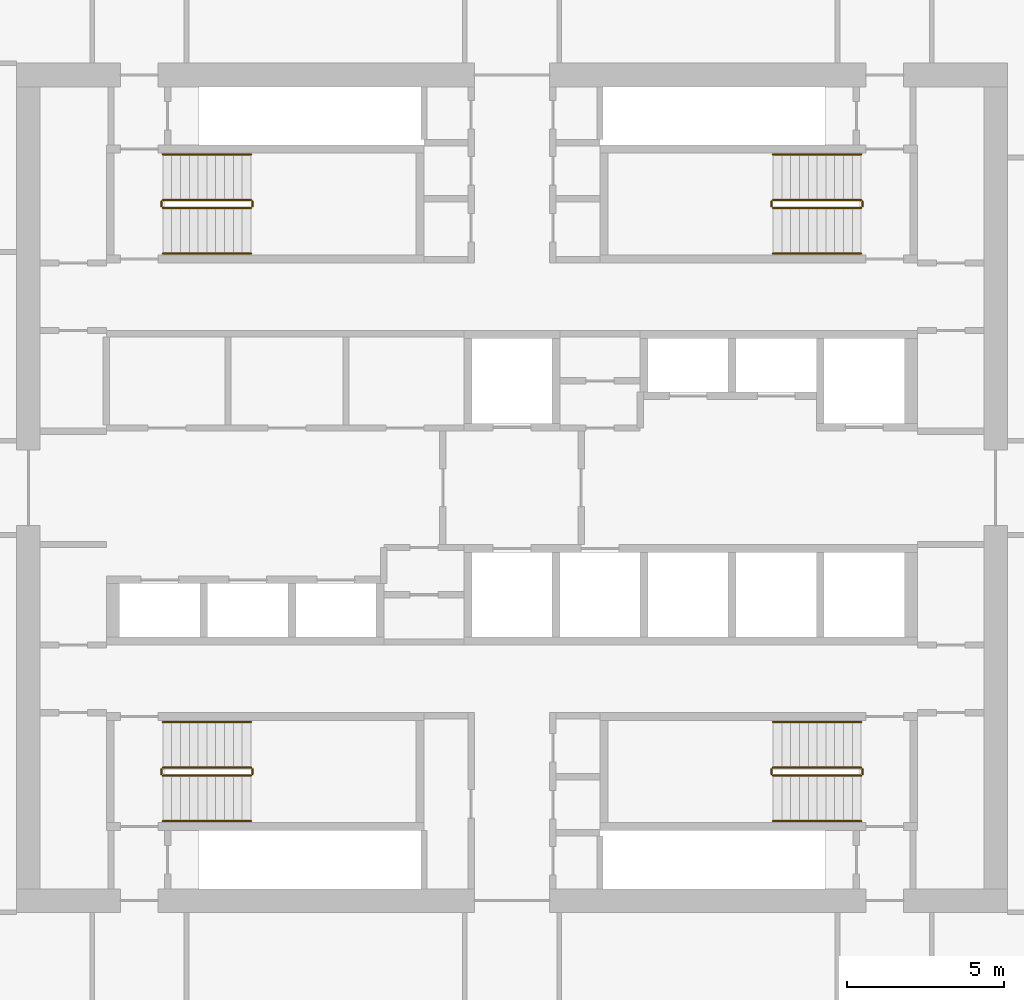
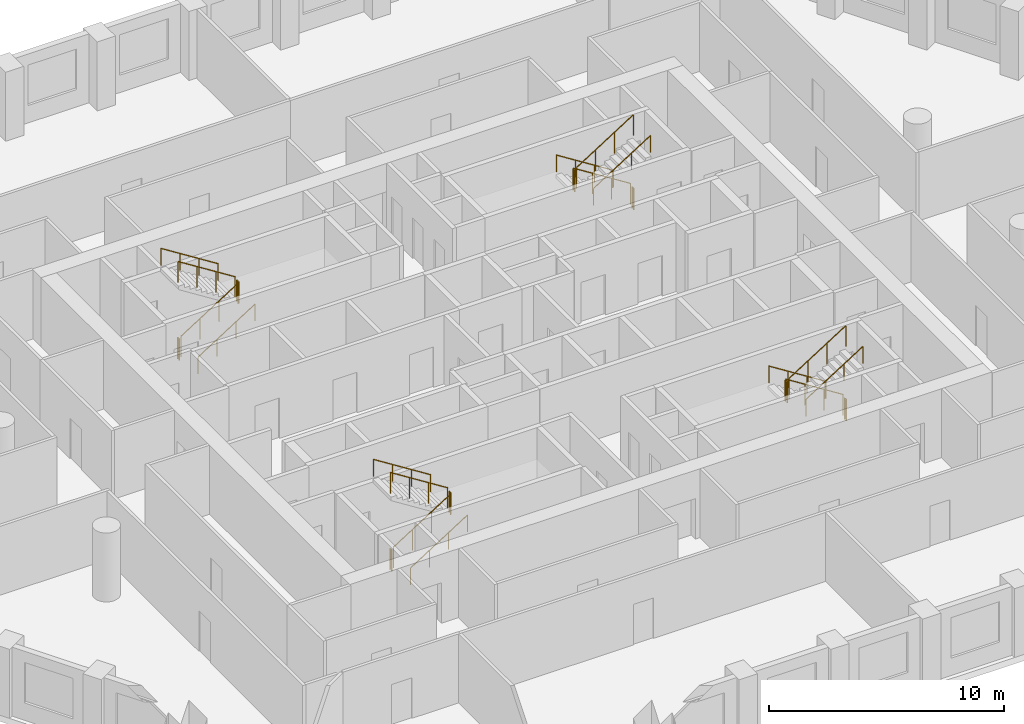
# One storey, part 10 of 10: 24 railings.
"""IFC4 building model written with IfcOpenShell, lengths in metres."""

from ifc_helpers import new_model, si_unit, direction, frame, origin, origin_2d, place, context, subcontext, project, spatial, circle, extrude, material, type_object, element, save


model = new_model("IFC4")

# Units and contexts
model_context = context("Model", 3, precision=1e-05, world=origin(), true_north=direction((0.0, 1.0)))
body_context = subcontext(model_context, "Body", "Model", "MODEL_VIEW")
ifc_project = project(units=[si_unit("LENGTHUNIT", "METRE"), si_unit("AREAUNIT", "SQUARE_METRE"), si_unit("VOLUMEUNIT", "CUBIC_METRE"), si_unit("PLANEANGLEUNIT", "RADIAN"), si_unit("MASSUNIT", "GRAM", prefix="KILO")], contexts=[model_context])

# Site, building, storey
site_placement = place(None, origin())
site = spatial("IfcSite", under=ifc_project, at=site_placement, CompositionType="ELEMENT")
building_placement = place(site_placement, origin())
building = spatial("IfcBuilding", under=site, at=building_placement, Name="Dhurran Vertical Campus", CompositionType="ELEMENT")
storey_placement = place(building_placement, frame((0.0, 0.0, 144.300048828125)))
storey = spatial("IfcBuildingStorey", under=building, at=storey_placement, Name="L35", CompositionType="ELEMENT", Elevation=144.300048828125)

# Railings
ifc_material_1 = material(Name="Stainless steel balustrade", Category="steel")
railing_type_1 = type_object("IfcRailingType", Name="co-RL-GUARD-1100", PredefinedType="GUARDRAIL", material=ifc_material_1)
railing_1_placement = place(storey_placement, frame((-11.10009765625, 8.89990234375, 0.17724609375)))
element("IfcRailing", 1, at=railing_1_placement, inside=storey, type_object=railing_type_1, Name="L35 ST1 stair guard 1", PredefinedType="GUARDRAIL", context=body_context, shape_type="SweptSolid", body=[
    extrude(circle(Radius=0.02392578125, at=origin_2d()), frame((0.0, 0.0, 1.076171875), z_axis=(0.844908973607, 0.0, 0.534910110503), x_axis=(0.0, 1.0, 0.0)), (0.0, 0.0, 1.0), 3.31396484375),
    extrude(circle(Radius=0.02099609375, at=origin_2d()), origin(), (0.0, 0.0, 1.0), 1.052001953125),
    extrude(circle(Radius=0.02099609375, at=origin_2d()), frame((0.933349609375, 0.0, 0.5908203125)), (0.0, 0.0, 1.0), 1.052001953125),
    extrude(circle(Radius=0.02099609375, at=origin_2d()), frame((1.86669921875, 0.0, 1.181884765625)), (0.0, 0.0, 1.0), 1.052001953125),
    extrude(circle(Radius=0.02099609375, at=origin_2d()), frame((2.800048828125, 0.0, 1.772705078125)), (0.0, 0.0, 1.0), 1.052001953125),
])
railing_2_placement = place(storey_placement, frame((-8.25, 8.949951171875, 1.949951171875)))
element("IfcRailing", 2, at=railing_2_placement, inside=storey, type_object=railing_type_1, Name="L35 ST1 stair guard 2", PredefinedType="GUARDRAIL", context=body_context, shape_type="SweptSolid", body=[
    extrude(circle(Radius=0.02392578125, at=origin_2d()), frame((0.0, 0.0, 1.076171875), z_axis=(0.0, 1.0, 0.0), x_axis=(-1.0, 0.0, 0.0)), (0.0, 0.0, 1.0), 0.150146484375),
    extrude(circle(Radius=0.02099609375, at=origin_2d()), origin(), (0.0, 0.0, 1.0), 1.052001953125),
    extrude(circle(Radius=0.02099609375, at=origin_2d()), frame((0.0, 0.150146484375, 0.0)), (0.0, 0.0, 1.0), 1.052001953125),
])
railing_3_placement = place(storey_placement, frame((-8.300048828125, 9.14990234375, 2.127197265625)))
element("IfcRailing", 3, at=railing_3_placement, inside=storey, type_object=railing_type_1, Name="L35 ST1 stair guard 3", PredefinedType="GUARDRAIL", context=body_context, shape_type="SweptSolid", body=[
    extrude(circle(Radius=0.02392578125, at=origin_2d()), frame((0.0, 0.0, 1.076171875), z_axis=(-0.844908973607, 0.0, 0.534910110503), x_axis=(0.0, -1.0, 0.0)), (0.0, 0.0, 1.0), 3.31396484375),
    extrude(circle(Radius=0.02099609375, at=origin_2d()), origin(), (0.0, 0.0, 1.0), 1.052001953125),
    extrude(circle(Radius=0.02099609375, at=origin_2d()), frame((-0.933349609375, 0.0, 0.5908203125)), (0.0, 0.0, 1.0), 1.052001953125),
    extrude(circle(Radius=0.02099609375, at=origin_2d()), frame((-1.86669921875, 0.0, 1.181884765625)), (0.0, 0.0, 1.0), 1.052001953125),
    extrude(circle(Radius=0.02099609375, at=origin_2d()), frame((-2.800048828125, 0.0, 1.772705078125)), (0.0, 0.0, 1.0), 1.052001953125),
])
railing_4_placement = place(storey_placement, frame((-11.14990234375, 8.949951171875, 0.0)))
element("IfcRailing", 4, at=railing_4_placement, inside=storey, type_object=railing_type_1, Name="L35 ST1 stair guard 4", PredefinedType="GUARDRAIL", context=body_context, shape_type="SweptSolid", body=[
    extrude(circle(Radius=0.02392578125, at=origin_2d()), frame((0.0, 0.0, 1.076171875), z_axis=(0.0, 1.0, 0.0), x_axis=(-1.0, 0.0, 0.0)), (0.0, 0.0, 1.0), 0.150146484375),
    extrude(circle(Radius=0.02099609375, at=origin_2d()), origin(), (0.0, 0.0, 1.0), 1.052001953125),
    extrude(circle(Radius=0.02099609375, at=origin_2d()), frame((0.0, 0.150146484375, 0.0)), (0.0, 0.0, 1.0), 1.052001953125),
])
railing_5_placement = place(storey_placement, frame((11.10009765625, 9.14990234375, 0.17724609375)))
element("IfcRailing", 5, at=railing_5_placement, inside=storey, type_object=railing_type_1, Name="L35 ST2 stair guard 1", PredefinedType="GUARDRAIL", context=body_context, shape_type="SweptSolid", body=[
    extrude(circle(Radius=0.02392578125, at=origin_2d()), frame((0.0, 0.0, 1.076171875), z_axis=(-0.844908973607, 0.0, 0.534910110503), x_axis=(0.0, -1.0, 0.0)), (0.0, 0.0, 1.0), 3.31396484375),
    extrude(circle(Radius=0.02099609375, at=origin_2d()), origin(), (0.0, 0.0, 1.0), 1.052001953125),
    extrude(circle(Radius=0.02099609375, at=origin_2d()), frame((-0.933349609375, 0.0, 0.5908203125)), (0.0, 0.0, 1.0), 1.052001953125),
    extrude(circle(Radius=0.02099609375, at=origin_2d()), frame((-1.86669921875, 0.0, 1.181884765625)), (0.0, 0.0, 1.0), 1.052001953125),
    extrude(circle(Radius=0.02099609375, at=origin_2d()), frame((-2.800048828125, 0.0, 1.772705078125)), (0.0, 0.0, 1.0), 1.052001953125),
])
railing_6_placement = place(storey_placement, frame((8.25, 9.10009765625, 1.949951171875)))
element("IfcRailing", 6, at=railing_6_placement, inside=storey, type_object=railing_type_1, Name="L35 ST2 stair guard 2", PredefinedType="GUARDRAIL", context=body_context, shape_type="SweptSolid", body=[
    extrude(circle(Radius=0.02392578125, at=origin_2d()), frame((0.0, 0.0, 1.076171875), z_axis=(0.0, -1.0, 0.0), x_axis=(1.0, 0.0, 0.0)), (0.0, 0.0, 1.0), 0.150146484375),
    extrude(circle(Radius=0.02099609375, at=origin_2d()), origin(), (0.0, 0.0, 1.0), 1.052001953125),
    extrude(circle(Radius=0.02099609375, at=origin_2d()), frame((0.0, -0.150146484375, 0.0)), (0.0, 0.0, 1.0), 1.052001953125),
])
railing_7_placement = place(storey_placement, frame((8.300048828125, 8.89990234375, 2.127197265625)))
element("IfcRailing", 7, at=railing_7_placement, inside=storey, type_object=railing_type_1, Name="L35 ST2 stair guard 3", PredefinedType="GUARDRAIL", context=body_context, shape_type="SweptSolid", body=[
    extrude(circle(Radius=0.02392578125, at=origin_2d()), frame((0.0, 0.0, 1.076171875), z_axis=(0.844908973607, 0.0, 0.534910110503), x_axis=(0.0, 1.0, 0.0)), (0.0, 0.0, 1.0), 3.31396484375),
    extrude(circle(Radius=0.02099609375, at=origin_2d()), origin(), (0.0, 0.0, 1.0), 1.052001953125),
    extrude(circle(Radius=0.02099609375, at=origin_2d()), frame((0.933349609375, 0.0, 0.5908203125)), (0.0, 0.0, 1.0), 1.052001953125),
    extrude(circle(Radius=0.02099609375, at=origin_2d()), frame((1.86669921875, 0.0, 1.181884765625)), (0.0, 0.0, 1.0), 1.052001953125),
    extrude(circle(Radius=0.02099609375, at=origin_2d()), frame((2.800048828125, 0.0, 1.772705078125)), (0.0, 0.0, 1.0), 1.052001953125),
])
railing_8_placement = place(storey_placement, frame((11.14990234375, 9.10009765625, 0.0)))
element("IfcRailing", 8, at=railing_8_placement, inside=storey, type_object=railing_type_1, Name="L35 ST2 stair guard 4", PredefinedType="GUARDRAIL", context=body_context, shape_type="SweptSolid", body=[
    extrude(circle(Radius=0.02392578125, at=origin_2d()), frame((0.0, 0.0, 1.076171875), z_axis=(0.0, -1.0, 0.0), x_axis=(1.0, 0.0, 0.0)), (0.0, 0.0, 1.0), 0.150146484375),
    extrude(circle(Radius=0.02099609375, at=origin_2d()), origin(), (0.0, 0.0, 1.0), 1.052001953125),
    extrude(circle(Radius=0.02099609375, at=origin_2d()), frame((0.0, -0.150146484375, 0.0)), (0.0, 0.0, 1.0), 1.052001953125),
])
railing_9_placement = place(storey_placement, frame((-11.10009765625, -9.14990234375, 0.17724609375)))
element("IfcRailing", 9, at=railing_9_placement, inside=storey, type_object=railing_type_1, Name="L35 ST3 stair guard 1", PredefinedType="GUARDRAIL", context=body_context, shape_type="SweptSolid", body=[
    extrude(circle(Radius=0.02392578125, at=origin_2d()), frame((0.0, 0.0, 1.076171875), z_axis=(0.844908973607, 0.0, 0.534910110503), x_axis=(0.0, 1.0, 0.0)), (0.0, 0.0, 1.0), 3.31396484375),
    extrude(circle(Radius=0.02099609375, at=origin_2d()), origin(), (0.0, 0.0, 1.0), 1.052001953125),
    extrude(circle(Radius=0.02099609375, at=origin_2d()), frame((0.933349609375, 0.0, 0.5908203125)), (0.0, 0.0, 1.0), 1.052001953125),
    extrude(circle(Radius=0.02099609375, at=origin_2d()), frame((1.86669921875, 0.0, 1.181884765625)), (0.0, 0.0, 1.0), 1.052001953125),
    extrude(circle(Radius=0.02099609375, at=origin_2d()), frame((2.800048828125, 0.0, 1.772705078125)), (0.0, 0.0, 1.0), 1.052001953125),
])
railing_10_placement = place(storey_placement, frame((-8.25, -9.10009765625, 1.949951171875)))
element("IfcRailing", 10, at=railing_10_placement, inside=storey, type_object=railing_type_1, Name="L35 ST3 stair guard 2", PredefinedType="GUARDRAIL", context=body_context, shape_type="SweptSolid", body=[
    extrude(circle(Radius=0.02392578125, at=origin_2d()), frame((0.0, 0.0, 1.076171875), z_axis=(0.0, 1.0, 0.0), x_axis=(-1.0, 0.0, 0.0)), (0.0, 0.0, 1.0), 0.150146484375),
    extrude(circle(Radius=0.02099609375, at=origin_2d()), origin(), (0.0, 0.0, 1.0), 1.052001953125),
    extrude(circle(Radius=0.02099609375, at=origin_2d()), frame((0.0, 0.150146484375, 0.0)), (0.0, 0.0, 1.0), 1.052001953125),
])
railing_11_placement = place(storey_placement, frame((-8.300048828125, -8.89990234375, 2.127197265625)))
element("IfcRailing", 11, at=railing_11_placement, inside=storey, type_object=railing_type_1, Name="L35 ST3 stair guard 3", PredefinedType="GUARDRAIL", context=body_context, shape_type="SweptSolid", body=[
    extrude(circle(Radius=0.02392578125, at=origin_2d()), frame((0.0, 0.0, 1.076171875), z_axis=(-0.844908973607, 0.0, 0.534910110503), x_axis=(0.0, -1.0, 0.0)), (0.0, 0.0, 1.0), 3.31396484375),
    extrude(circle(Radius=0.02099609375, at=origin_2d()), origin(), (0.0, 0.0, 1.0), 1.052001953125),
    extrude(circle(Radius=0.02099609375, at=origin_2d()), frame((-0.933349609375, 0.0, 0.5908203125)), (0.0, 0.0, 1.0), 1.052001953125),
    extrude(circle(Radius=0.02099609375, at=origin_2d()), frame((-1.86669921875, 0.0, 1.181884765625)), (0.0, 0.0, 1.0), 1.052001953125),
    extrude(circle(Radius=0.02099609375, at=origin_2d()), frame((-2.800048828125, 0.0, 1.772705078125)), (0.0, 0.0, 1.0), 1.052001953125),
])
railing_12_placement = place(storey_placement, frame((-11.14990234375, -9.10009765625, 0.0)))
element("IfcRailing", 12, at=railing_12_placement, inside=storey, type_object=railing_type_1, Name="L35 ST3 stair guard 4", PredefinedType="GUARDRAIL", context=body_context, shape_type="SweptSolid", body=[
    extrude(circle(Radius=0.02392578125, at=origin_2d()), frame((0.0, 0.0, 1.076171875), z_axis=(0.0, 1.0, 0.0), x_axis=(-1.0, 0.0, 0.0)), (0.0, 0.0, 1.0), 0.150146484375),
    extrude(circle(Radius=0.02099609375, at=origin_2d()), origin(), (0.0, 0.0, 1.0), 1.052001953125),
    extrude(circle(Radius=0.02099609375, at=origin_2d()), frame((0.0, 0.150146484375, 0.0)), (0.0, 0.0, 1.0), 1.052001953125),
])
railing_13_placement = place(storey_placement, frame((11.10009765625, -8.89990234375, 0.17724609375)))
element("IfcRailing", 13, at=railing_13_placement, inside=storey, type_object=railing_type_1, Name="L35 ST4 stair guard 1", PredefinedType="GUARDRAIL", context=body_context, shape_type="SweptSolid", body=[
    extrude(circle(Radius=0.02392578125, at=origin_2d()), frame((0.0, 0.0, 1.076171875), z_axis=(-0.844908973607, 0.0, 0.534910110503), x_axis=(0.0, -1.0, 0.0)), (0.0, 0.0, 1.0), 3.31396484375),
    extrude(circle(Radius=0.02099609375, at=origin_2d()), origin(), (0.0, 0.0, 1.0), 1.052001953125),
    extrude(circle(Radius=0.02099609375, at=origin_2d()), frame((-0.933349609375, 0.0, 0.5908203125)), (0.0, 0.0, 1.0), 1.052001953125),
    extrude(circle(Radius=0.02099609375, at=origin_2d()), frame((-1.86669921875, 0.0, 1.181884765625)), (0.0, 0.0, 1.0), 1.052001953125),
    extrude(circle(Radius=0.02099609375, at=origin_2d()), frame((-2.800048828125, 0.0, 1.772705078125)), (0.0, 0.0, 1.0), 1.052001953125),
])
railing_14_placement = place(storey_placement, frame((8.25, -8.949951171875, 1.949951171875)))
element("IfcRailing", 14, at=railing_14_placement, inside=storey, type_object=railing_type_1, Name="L35 ST4 stair guard 2", PredefinedType="GUARDRAIL", context=body_context, shape_type="SweptSolid", body=[
    extrude(circle(Radius=0.02392578125, at=origin_2d()), frame((0.0, 0.0, 1.076171875), z_axis=(0.0, -1.0, 0.0), x_axis=(1.0, 0.0, 0.0)), (0.0, 0.0, 1.0), 0.150146484375),
    extrude(circle(Radius=0.02099609375, at=origin_2d()), origin(), (0.0, 0.0, 1.0), 1.052001953125),
    extrude(circle(Radius=0.02099609375, at=origin_2d()), frame((0.0, -0.150146484375, 0.0)), (0.0, 0.0, 1.0), 1.052001953125),
])
railing_15_placement = place(storey_placement, frame((8.300048828125, -9.14990234375, 2.127197265625)))
element("IfcRailing", 15, at=railing_15_placement, inside=storey, type_object=railing_type_1, Name="L35 ST4 stair guard 3", PredefinedType="GUARDRAIL", context=body_context, shape_type="SweptSolid", body=[
    extrude(circle(Radius=0.02392578125, at=origin_2d()), frame((0.0, 0.0, 1.076171875), z_axis=(0.844908973607, 0.0, 0.534910110503), x_axis=(0.0, 1.0, 0.0)), (0.0, 0.0, 1.0), 3.31396484375),
    extrude(circle(Radius=0.02099609375, at=origin_2d()), origin(), (0.0, 0.0, 1.0), 1.052001953125),
    extrude(circle(Radius=0.02099609375, at=origin_2d()), frame((0.933349609375, 0.0, 0.5908203125)), (0.0, 0.0, 1.0), 1.052001953125),
    extrude(circle(Radius=0.02099609375, at=origin_2d()), frame((1.86669921875, 0.0, 1.181884765625)), (0.0, 0.0, 1.0), 1.052001953125),
    extrude(circle(Radius=0.02099609375, at=origin_2d()), frame((2.800048828125, 0.0, 1.772705078125)), (0.0, 0.0, 1.0), 1.052001953125),
])
railing_16_placement = place(storey_placement, frame((11.14990234375, -8.949951171875, 0.0)))
element("IfcRailing", 16, at=railing_16_placement, inside=storey, type_object=railing_type_1, Name="L35 ST4 stair guard 4", PredefinedType="GUARDRAIL", context=body_context, shape_type="SweptSolid", body=[
    extrude(circle(Radius=0.02392578125, at=origin_2d()), frame((0.0, 0.0, 1.076171875), z_axis=(0.0, -1.0, 0.0), x_axis=(1.0, 0.0, 0.0)), (0.0, 0.0, 1.0), 0.150146484375),
    extrude(circle(Radius=0.02099609375, at=origin_2d()), origin(), (0.0, 0.0, 1.0), 1.052001953125),
    extrude(circle(Radius=0.02099609375, at=origin_2d()), frame((0.0, -0.150146484375, 0.0)), (0.0, 0.0, 1.0), 1.052001953125),
])
ifc_material_2 = material(Name="Stainless steel handrail", Category="steel")
railing_type_2 = type_object("IfcRailingType", Name="co-RL-HANDRAIL-900", PredefinedType="HANDRAIL", material=ifc_material_2)
railing_17_placement = place(storey_placement, frame((-11.10009765625, 7.449951171875, 0.17724609375)))
element("IfcRailing", 17, at=railing_17_placement, inside=storey, type_object=railing_type_2, Name="L35 ST1 stair handrail 1", PredefinedType="HANDRAIL", context=body_context, shape_type="SweptSolid", body=[
    extrude(circle(Radius=0.02392578125, at=origin_2d()), frame((0.0, 0.0, 0.8759765625), z_axis=(0.844908973607, 0.0, 0.534910110503), x_axis=(0.0, 1.0, 0.0)), (0.0, 0.0, 1.0), 3.31396484375),
    extrude(circle(Radius=0.02099609375, at=origin_2d()), origin(), (0.0, 0.0, 1.0), 0.851806640625),
    extrude(circle(Radius=0.02099609375, at=origin_2d()), frame((0.933349609375, 0.0, 0.5908203125)), (0.0, 0.0, 1.0), 0.851806640625),
    extrude(circle(Radius=0.02099609375, at=origin_2d()), frame((1.86669921875, 0.0, 1.181884765625)), (0.0, 0.0, 1.0), 0.851806640625),
    extrude(circle(Radius=0.02099609375, at=origin_2d()), frame((2.800048828125, 0.0, 1.772705078125)), (0.0, 0.0, 1.0), 0.851806640625),
])
for number, where, name in (
    (18, (-8.300048828125, 10.60009765625, 2.127197265625), "L35 ST1 stair handrail 2"),
    (19, (11.10009765625, 10.60009765625, 0.17724609375), "L35 ST2 stair handrail 1"),
):
    element("IfcRailing", number, at=place(storey_placement, frame(where)), inside=storey, type_object=railing_type_2, Name=name, PredefinedType="HANDRAIL", context=body_context, shape_type="SweptSolid", body=[
        extrude(circle(Radius=0.02392578125, at=origin_2d()), frame((0.0, 0.0, 0.8759765625), z_axis=(-0.844908973607, 0.0, 0.534910110503), x_axis=(0.0, -1.0, 0.0)), (0.0, 0.0, 1.0), 3.31396484375),
        extrude(circle(Radius=0.02099609375, at=origin_2d()), origin(), (0.0, 0.0, 1.0), 0.851806640625),
        extrude(circle(Radius=0.02099609375, at=origin_2d()), frame((-0.933349609375, 0.0, 0.5908203125)), (0.0, 0.0, 1.0), 0.851806640625),
        extrude(circle(Radius=0.02099609375, at=origin_2d()), frame((-1.86669921875, 0.0, 1.181884765625)), (0.0, 0.0, 1.0), 0.851806640625),
        extrude(circle(Radius=0.02099609375, at=origin_2d()), frame((-2.800048828125, 0.0, 1.772705078125)), (0.0, 0.0, 1.0), 0.851806640625),
    ])
for number, where, name in (
    (20, (8.300048828125, 7.449951171875, 2.127197265625), "L35 ST2 stair handrail 2"),
    (21, (-11.10009765625, -10.60009765625, 0.17724609375), "L35 ST3 stair handrail 1"),
):
    element("IfcRailing", number, at=place(storey_placement, frame(where)), inside=storey, type_object=railing_type_2, Name=name, PredefinedType="HANDRAIL", context=body_context, shape_type="SweptSolid", body=[
        extrude(circle(Radius=0.02392578125, at=origin_2d()), frame((0.0, 0.0, 0.8759765625), z_axis=(0.844908973607, 0.0, 0.534910110503), x_axis=(0.0, 1.0, 0.0)), (0.0, 0.0, 1.0), 3.31396484375),
        extrude(circle(Radius=0.02099609375, at=origin_2d()), origin(), (0.0, 0.0, 1.0), 0.851806640625),
        extrude(circle(Radius=0.02099609375, at=origin_2d()), frame((0.933349609375, 0.0, 0.5908203125)), (0.0, 0.0, 1.0), 0.851806640625),
        extrude(circle(Radius=0.02099609375, at=origin_2d()), frame((1.86669921875, 0.0, 1.181884765625)), (0.0, 0.0, 1.0), 0.851806640625),
        extrude(circle(Radius=0.02099609375, at=origin_2d()), frame((2.800048828125, 0.0, 1.772705078125)), (0.0, 0.0, 1.0), 0.851806640625),
    ])
for number, where, name in (
    (22, (-8.300048828125, -7.449951171875, 2.127197265625), "L35 ST3 stair handrail 2"),
    (23, (11.10009765625, -7.449951171875, 0.17724609375), "L35 ST4 stair handrail 1"),
):
    element("IfcRailing", number, at=place(storey_placement, frame(where)), inside=storey, type_object=railing_type_2, Name=name, PredefinedType="HANDRAIL", context=body_context, shape_type="SweptSolid", body=[
        extrude(circle(Radius=0.02392578125, at=origin_2d()), frame((0.0, 0.0, 0.8759765625), z_axis=(-0.844908973607, 0.0, 0.534910110503), x_axis=(0.0, -1.0, 0.0)), (0.0, 0.0, 1.0), 3.31396484375),
        extrude(circle(Radius=0.02099609375, at=origin_2d()), origin(), (0.0, 0.0, 1.0), 0.851806640625),
        extrude(circle(Radius=0.02099609375, at=origin_2d()), frame((-0.933349609375, 0.0, 0.5908203125)), (0.0, 0.0, 1.0), 0.851806640625),
        extrude(circle(Radius=0.02099609375, at=origin_2d()), frame((-1.86669921875, 0.0, 1.181884765625)), (0.0, 0.0, 1.0), 0.851806640625),
        extrude(circle(Radius=0.02099609375, at=origin_2d()), frame((-2.800048828125, 0.0, 1.772705078125)), (0.0, 0.0, 1.0), 0.851806640625),
    ])
railing_18_placement = place(storey_placement, frame((8.300048828125, -10.60009765625, 2.127197265625)))
element("IfcRailing", 24, at=railing_18_placement, inside=storey, type_object=railing_type_2, Name="L35 ST4 stair handrail 2", PredefinedType="HANDRAIL", context=body_context, shape_type="SweptSolid", body=[
    extrude(circle(Radius=0.02392578125, at=origin_2d()), frame((0.0, 0.0, 0.8759765625), z_axis=(0.844908973607, 0.0, 0.534910110503), x_axis=(0.0, 1.0, 0.0)), (0.0, 0.0, 1.0), 3.31396484375),
    extrude(circle(Radius=0.02099609375, at=origin_2d()), origin(), (0.0, 0.0, 1.0), 0.851806640625),
    extrude(circle(Radius=0.02099609375, at=origin_2d()), frame((0.933349609375, 0.0, 0.5908203125)), (0.0, 0.0, 1.0), 0.851806640625),
    extrude(circle(Radius=0.02099609375, at=origin_2d()), frame((1.86669921875, 0.0, 1.181884765625)), (0.0, 0.0, 1.0), 0.851806640625),
    extrude(circle(Radius=0.02099609375, at=origin_2d()), frame((2.800048828125, 0.0, 1.772705078125)), (0.0, 0.0, 1.0), 0.851806640625),
])

save(model, "model.ifc")
